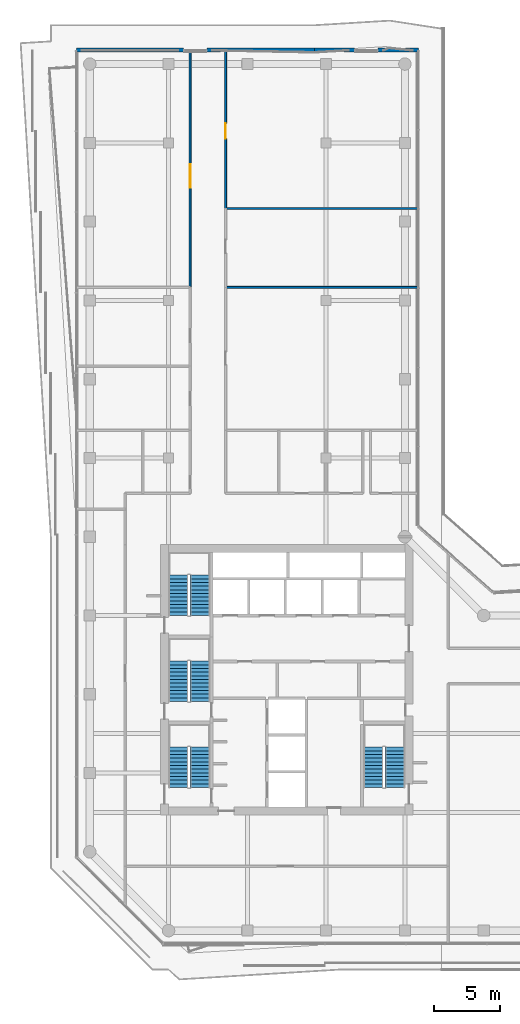
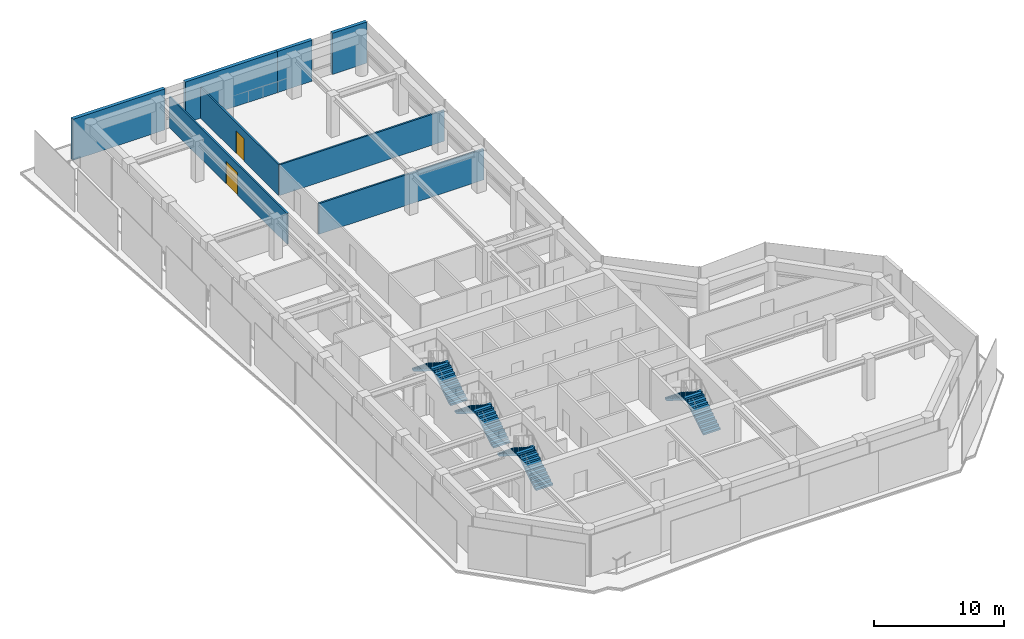
# One storey, part 19 of 21: 8 stair flights, 8 walls, 2 doors, 2 openings, 4 elements without a shape of their own.
"""IFC4 building model written with IfcOpenShell, lengths in metres."""

from ifc_helpers import new_model, si_unit, direction, frame, frame_2d, origin, place, context, subcontext, project, spatial, polyline, rectangle, outline, extrude, material, layer, layer_set, type_object, element, fill, aggregate, save


model = new_model("IFC4")

# Units and contexts
model_context = context("Model", 3, precision=1e-05, world=origin(), true_north=direction((0.0, 1.0)))
body_context = subcontext(model_context, "Body", "Model", "MODEL_VIEW")
ifc_project = project(units=[si_unit("LENGTHUNIT", "METRE"), si_unit("AREAUNIT", "SQUARE_METRE"), si_unit("VOLUMEUNIT", "CUBIC_METRE"), si_unit("PLANEANGLEUNIT", "RADIAN"), si_unit("MASSUNIT", "GRAM", prefix="KILO")], contexts=[model_context])

# Site, building, storey
site_placement = place(None, origin())
site = spatial("IfcSite", under=ifc_project, at=site_placement, CompositionType="ELEMENT")
building_placement = place(site_placement, origin())
building = spatial("IfcBuilding", under=site, at=building_placement, Name="Welwitschia Terrace Campus", CompositionType="ELEMENT")
storey_placement = place(building_placement, frame((0.0, 0.0, 184.39990234375)))
storey = spatial("IfcBuildingStorey", under=building, at=storey_placement, Name="L41", CompositionType="ELEMENT", Elevation=184.39990234375)

# Wall, opening, door
ifc_material_1 = material(Name="Gypsum board on steel studs", Category="steel")
ifc_layer_1 = layer(ifc_material_1, 0.14990234375)
ifc_layer_set_1 = layer_set([ifc_layer_1], Name="Gypsum board on steel studs")
wall_type_1 = type_object("IfcWallType", Name="Corridor partition 150 EI 30", PredefinedType="PARTITIONING", material=ifc_layer_set_1)
wall_1_placement = place(storey_placement, frame((7.64990234375, 63.090087890625, 0.0), z_axis=(0.0, 0.0, 1.0), x_axis=(0.0, -1.0, 0.0)))
wall_1 = element("IfcWall", 1, at=wall_1_placement, inside=storey, type_object=wall_type_1, Name="Partition", PredefinedType="PARTITIONING", context=body_context, shape_type="SweptSolid", body=[
    extrude(rectangle(XDim=18.090087890625, YDim=0.14990234375, at=frame_2d((9.044921875, 0.0))), origin(), (0.0, 0.0, 1.0), 2.880126953125),
])
opening_1_placement = place(wall_1_placement, frame((8.7099609375, 0.0, 0.0)))
opening_1 = element("IfcOpeningElement", 2, at=opening_1_placement, cuts=wall_1, Name="Opening DI18", PredefinedType="OPENING", context=body_context, shape_type="SweptSolid", body=[
    extrude(rectangle(XDim=1.800048828125, YDim=2.10009765625, at=frame_2d((0.89990234375, 1.050048828125))), frame((0.0, 0.0849609375, 0.0), z_axis=(0.0, -1.0, 0.0), x_axis=(1.0, 0.0, 0.0)), (0.0, 0.0, 1.0), 0.169921875),
])
ifc_material_2 = material(Name="Timber veneered door", Category="wood")
door_type_1 = type_object("IfcDoorType", Name="Interior door DI18", OperationType="DOUBLE_DOOR_SINGLE_SWING", PredefinedType="DOOR", material=ifc_material_2)
door_1_placement = place(opening_1_placement, origin())
door_1 = element("IfcDoor", 3, at=door_1_placement, inside=storey, type_object=door_type_1, Name="Door L41 813", OperationType="SINGLE_SWING_LEFT", OverallHeight=2.10009765625, OverallWidth=1.800048828125, PredefinedType="DOOR", context=body_context, shape_type="SweptSolid", body=[
    extrude(rectangle(XDim=1.800048828125, YDim=2.10009765625, at=frame_2d((0.89990234375, 1.050048828125))), frame((0.0, 0.02490234375, 0.0), z_axis=(0.0, -1.0, 0.0), x_axis=(1.0, 0.0, 0.0)), (0.0, 0.0, 1.0), 0.050048828125),
])
fill(opening_1, door_1)

# Walls
for number, where, z_axis, x_axis, name in (
    (4, (10.35009765625, 45.0, 0.0), (0.0, 0.0, 1.0), (1.0, 0.0, 0.0), "Partition"),
    (5, (10.35009765625, 51.0, 0.0), (0.0, 0.0, 1.0), (1.0, 0.0, 0.0), "Partition"),
):
    element("IfcWall", number, at=place(storey_placement, frame(where, z_axis=z_axis, x_axis=x_axis)), inside=storey, type_object=wall_type_1, Name=name, PredefinedType="PARTITIONING", context=body_context, shape_type="SweptSolid", body=[
        extrude(rectangle(XDim=14.614990234375, YDim=0.14990234375, at=frame_2d((7.3076171875, 0.0))), origin(), (0.0, 0.0, 1.0), 2.880126953125),
    ])

# Wall, opening, door
wall_2_placement = place(storey_placement, frame((10.35009765625, 63.090087890625, 0.0), z_axis=(0.0, 0.0, 1.0), x_axis=(0.0, -1.0, 0.0)))
wall_2 = element("IfcWall", 6, at=wall_2_placement, inside=storey, type_object=wall_type_1, Name="Partition", PredefinedType="PARTITIONING", context=body_context, shape_type="SweptSolid", body=[
    extrude(rectangle(XDim=12.090087890625, YDim=0.14990234375, at=frame_2d((6.044921875, 0.0))), origin(), (0.0, 0.0, 1.0), 2.880126953125),
])
opening_2_placement = place(wall_2_placement, frame((5.590087890625, 0.0, 0.0)))
opening_2 = element("IfcOpeningElement", 7, at=opening_2_placement, cuts=wall_2, Name="Opening DI12", PredefinedType="OPENING", context=body_context, shape_type="SweptSolid", body=[
    extrude(rectangle(XDim=1.199951171875, YDim=2.10009765625, at=frame_2d((0.60009765625, 1.050048828125))), frame((0.0, 0.0849609375, 0.0), z_axis=(0.0, -1.0, 0.0), x_axis=(1.0, 0.0, 0.0)), (0.0, 0.0, 1.0), 0.169921875),
])
ifc_material_3 = material(Name="Timber veneered door", Category="wood")
door_type_2 = type_object("IfcDoorType", Name="Interior door DI12", OperationType="NOTDEFINED", PredefinedType="DOOR", material=ifc_material_3)
door_2_placement = place(opening_2_placement, origin())
door_2 = element("IfcDoor", 8, at=door_2_placement, inside=storey, type_object=door_type_2, Name="Door L41 816", OperationType="SINGLE_SWING_LEFT", OverallHeight=2.10009765625, OverallWidth=1.199951171875, PredefinedType="DOOR", context=body_context, shape_type="SweptSolid", body=[
    extrude(rectangle(XDim=1.199951171875, YDim=2.10009765625, at=frame_2d((0.60009765625, 1.050048828125))), frame((0.0, 0.02490234375, 0.0), z_axis=(0.0, -1.0, 0.0), x_axis=(1.0, 0.0, 0.0)), (0.0, 0.0, 1.0), 0.050048828125),
])
fill(opening_2, door_2)

# Walls
ifc_material_4 = material(Name="Concrete C40/50", Category="concrete")
ifc_layer_2 = layer(ifc_material_4, 0.300048828125)
ifc_layer_set_2 = layer_set([ifc_layer_2], Name="Concrete C40/50")
wall_type_2 = type_object("IfcWallType", Name="Mass wall 300", PredefinedType="SOLIDWALL", material=ifc_layer_set_2)
wall_3_placement = place(storey_placement, frame((25.030029296875, 63.078125, 0.0), z_axis=(0.0, 0.0, 1.0), x_axis=(-0.999999844719, 0.000557280385, 0.0)))
element("IfcWall", 9, at=wall_3_placement, inside=storey, type_object=wall_type_2, Name="Mass wall L41.8.0", PredefinedType="SOLIDWALL", context=body_context, shape_type="SweptSolid", body=[
    extrude(rectangle(XDim=3.066650390625, YDim=0.300048828125, at=frame_2d((1.533203125, 0.0))), origin(), (0.0, 0.0, 1.0), 3.85009765625),
])
wall_4_placement = place(storey_placement, frame((20.163330078125, 63.07861328125, 0.0), z_axis=(0.0, 0.0, 1.0), x_axis=(-0.999999844744, 0.000557236022, 0.0)))
element("IfcWall", 10, at=wall_4_placement, inside=storey, type_object=wall_type_2, Name="Mass wall L41.8.1", PredefinedType="SOLIDWALL", context=body_context, shape_type="SweptSolid", body=[
    extrude(rectangle(XDim=3.06689453125, YDim=0.300048828125, at=frame_2d((1.533447265625, 0.0))), origin(), (0.0, 0.0, 1.0), 3.85009765625),
])
for number, where, z_axis, x_axis, name in (
    (11, (17.096435546875, 63.080078125, 0.0), (0.0, 0.0, 1.0), (-1.0, 0.0, 0.0), "Mass wall L41.9.0"),
    (12, (7.13330078125, 63.078125, 0.0), (0.0, 0.0, 1.0), (-1.0, 0.0, 0.0), "Mass wall L41.9.1"),
):
    element("IfcWall", number, at=place(storey_placement, frame(where, z_axis=z_axis, x_axis=x_axis)), inside=storey, type_object=wall_type_2, Name=name, PredefinedType="SOLIDWALL", context=body_context, shape_type="SweptSolid", body=[
        extrude(rectangle(XDim=8.163330078125, YDim=0.300048828125, at=frame_2d((4.08154296875, 0.0))), origin(), (0.0, 0.0, 1.0), 3.85009765625),
    ])

# Stair, stair flights
ifc_material_5 = material(Name="Concrete C40/50", Category="concrete")
stair_type = type_object("IfcStairType", Name="Stair 24R 175 W1500", PredefinedType="HALF_TURN_STAIR", material=ifc_material_5)
stair_1_placement = place(storey_placement, origin())
stair_1 = element("IfcStair", 13, at=stair_1_placement, inside=storey, type_object=stair_type, Name="L41 Exit stair S1", PredefinedType="HALF_TURN_STAIR")
ifc_material_6 = material(Name="Concrete C40/50", Category="concrete")
stair_flight_type = type_object("IfcStairFlightType", Name="Stair flight 24R 175 W1500", PredefinedType="STRAIGHT", material=ifc_material_6)
stair_flight_1_placement = place(storey_placement, frame((8.39990234375, 6.89990234375, 0.0), z_axis=(0.0, 0.0, 1.0), x_axis=(0.0, 1.0, 0.0)))
stair_flight_1 = element("IfcStairFlight", 14, at=stair_flight_1_placement, type_object=stair_flight_type, Name="S1 flight 1", NumberOfRisers=12, NumberOfTreads=11, PredefinedType="STRAIGHT", RiserHeight=0.175, TreadLength=0.28, context=body_context, shape_type="SweptSolid", body=[
    extrude(outline(polyline([(0.0, 0.0), (0.0, 0.175048828125), (0.280029296875, 0.175048828125), (0.280029296875, 0.35009765625), (0.56005859375, 0.35009765625), (0.56005859375, 0.52490234375), (0.840087890625, 0.52490234375), (0.840087890625, 0.699951171875), (1.1201171875, 0.699951171875), (1.1201171875, 0.875), (1.39990234375, 0.875), (1.39990234375, 1.050048828125), (1.679931640625, 1.050048828125), (1.679931640625, 1.22509765625), (1.9599609375, 1.22509765625), (1.9599609375, 1.39990234375), (2.239990234375, 1.39990234375), (2.239990234375, 1.574951171875), (2.52001953125, 1.574951171875), (2.52001953125, 1.75), (2.800048828125, 1.75), (2.800048828125, 1.925048828125), (3.080078125, 1.925048828125), (3.080078125, 2.10009765625), (3.080078125, 1.748291015625), (0.28271484375, 0.0), (0.0, 0.0)])), frame((0.0, 0.75, 0.0), z_axis=(0.0, -1.0, 0.0), x_axis=(1.0, 0.0, 0.0)), (0.0, 0.0, 1.0), 1.5),
])
stair_flight_2_placement = place(storey_placement, frame((6.75, 9.97998046875, 2.10009765625), z_axis=(0.0, 0.0, 1.0), x_axis=(0.0, -1.0, 0.0)))
stair_flight_2 = element("IfcStairFlight", 15, at=stair_flight_2_placement, type_object=stair_flight_type, Name="S1 flight 2", NumberOfRisers=12, NumberOfTreads=11, PredefinedType="STRAIGHT", RiserHeight=0.175, TreadLength=0.28, context=body_context, shape_type="SweptSolid", body=[
    extrude(outline(polyline([(0.0, 0.0), (0.0, 0.175048828125), (0.280029296875, 0.175048828125), (0.280029296875, 0.35009765625), (0.56005859375, 0.35009765625), (0.56005859375, 0.52490234375), (0.840087890625, 0.52490234375), (0.840087890625, 0.699951171875), (1.1201171875, 0.699951171875), (1.1201171875, 0.875), (1.39990234375, 0.875), (1.39990234375, 1.050048828125), (1.679931640625, 1.050048828125), (1.679931640625, 1.22509765625), (1.9599609375, 1.22509765625), (1.9599609375, 1.39990234375), (2.239990234375, 1.39990234375), (2.239990234375, 1.574951171875), (2.52001953125, 1.574951171875), (2.52001953125, 1.75), (2.800048828125, 1.75), (2.800048828125, 1.925048828125), (3.080078125, 1.925048828125), (3.080078125, 2.10009765625), (3.080078125, 1.748291015625), (0.28271484375, 0.0), (0.0, 0.0)])), frame((0.0, 0.75, 0.0), z_axis=(0.0, -1.0, 0.0), x_axis=(1.0, 0.0, 0.0)), (0.0, 0.0, 1.0), 1.5),
])
aggregate(stair_1, [stair_flight_1, stair_flight_2])

stair_2_placement = place(storey_placement, origin())
stair_2 = element("IfcStair", 16, at=stair_2_placement, inside=storey, type_object=stair_type, Name="L41 Exit stair S3", PredefinedType="HALF_TURN_STAIR")
stair_flight_3_placement = place(storey_placement, frame((8.39990234375, 13.449951171875, 0.0), z_axis=(0.0, 0.0, 1.0), x_axis=(0.0, 1.0, 0.0)))
stair_flight_3 = element("IfcStairFlight", 17, at=stair_flight_3_placement, type_object=stair_flight_type, Name="S3 flight 1", NumberOfRisers=12, NumberOfTreads=11, PredefinedType="STRAIGHT", RiserHeight=0.175, TreadLength=0.28, context=body_context, shape_type="SweptSolid", body=[
    extrude(outline(polyline([(0.0, 0.0), (0.0, 0.175048828125), (0.280029296875, 0.175048828125), (0.280029296875, 0.35009765625), (0.56005859375, 0.35009765625), (0.56005859375, 0.52490234375), (0.840087890625, 0.52490234375), (0.840087890625, 0.699951171875), (1.1201171875, 0.699951171875), (1.1201171875, 0.875), (1.39990234375, 0.875), (1.39990234375, 1.050048828125), (1.679931640625, 1.050048828125), (1.679931640625, 1.22509765625), (1.9599609375, 1.22509765625), (1.9599609375, 1.39990234375), (2.239990234375, 1.39990234375), (2.239990234375, 1.574951171875), (2.52001953125, 1.574951171875), (2.52001953125, 1.75), (2.800048828125, 1.75), (2.800048828125, 1.925048828125), (3.080078125, 1.925048828125), (3.080078125, 2.10009765625), (3.080078125, 1.748291015625), (0.28271484375, 0.0), (0.0, 0.0)])), frame((0.0, 0.75, 0.0), z_axis=(0.0, -1.0, 0.0), x_axis=(1.0, 0.0, 0.0)), (0.0, 0.0, 1.0), 1.5),
])
stair_flight_4_placement = place(storey_placement, frame((6.75, 16.530029296875, 2.10009765625), z_axis=(0.0, 0.0, 1.0), x_axis=(0.0, -1.0, 0.0)))
stair_flight_4 = element("IfcStairFlight", 18, at=stair_flight_4_placement, type_object=stair_flight_type, Name="S3 flight 2", NumberOfRisers=12, NumberOfTreads=11, PredefinedType="STRAIGHT", RiserHeight=0.175, TreadLength=0.28, context=body_context, shape_type="SweptSolid", body=[
    extrude(outline(polyline([(0.0, 0.0), (0.0, 0.175048828125), (0.280029296875, 0.175048828125), (0.280029296875, 0.35009765625), (0.56005859375, 0.35009765625), (0.56005859375, 0.52490234375), (0.840087890625, 0.52490234375), (0.840087890625, 0.699951171875), (1.1201171875, 0.699951171875), (1.1201171875, 0.875), (1.39990234375, 0.875), (1.39990234375, 1.050048828125), (1.679931640625, 1.050048828125), (1.679931640625, 1.22509765625), (1.9599609375, 1.22509765625), (1.9599609375, 1.39990234375), (2.239990234375, 1.39990234375), (2.239990234375, 1.574951171875), (2.52001953125, 1.574951171875), (2.52001953125, 1.75), (2.800048828125, 1.75), (2.800048828125, 1.925048828125), (3.080078125, 1.925048828125), (3.080078125, 2.10009765625), (3.080078125, 1.748291015625), (0.28271484375, 0.0), (0.0, 0.0)])), frame((0.0, 0.75, 0.0), z_axis=(0.0, -1.0, 0.0), x_axis=(1.0, 0.0, 0.0)), (0.0, 0.0, 1.0), 1.5),
])
aggregate(stair_2, [stair_flight_3, stair_flight_4])

stair_3_placement = place(storey_placement, origin())
stair_3 = element("IfcStair", 19, at=stair_3_placement, inside=storey, type_object=stair_type, Name="L41 Exit stair S4", PredefinedType="HALF_TURN_STAIR")
stair_flight_5_placement = place(storey_placement, frame((8.39990234375, 20.0, 0.0), z_axis=(0.0, 0.0, 1.0), x_axis=(0.0, 1.0, 0.0)))
stair_flight_5 = element("IfcStairFlight", 20, at=stair_flight_5_placement, type_object=stair_flight_type, Name="S4 flight 1", NumberOfRisers=12, NumberOfTreads=11, PredefinedType="STRAIGHT", RiserHeight=0.175, TreadLength=0.28, context=body_context, shape_type="SweptSolid", body=[
    extrude(outline(polyline([(0.0, 0.0), (0.0, 0.175048828125), (0.280029296875, 0.175048828125), (0.280029296875, 0.35009765625), (0.56005859375, 0.35009765625), (0.56005859375, 0.52490234375), (0.840087890625, 0.52490234375), (0.840087890625, 0.699951171875), (1.1201171875, 0.699951171875), (1.1201171875, 0.875), (1.39990234375, 0.875), (1.39990234375, 1.050048828125), (1.679931640625, 1.050048828125), (1.679931640625, 1.22509765625), (1.9599609375, 1.22509765625), (1.9599609375, 1.39990234375), (2.239990234375, 1.39990234375), (2.239990234375, 1.574951171875), (2.52001953125, 1.574951171875), (2.52001953125, 1.75), (2.800048828125, 1.75), (2.800048828125, 1.925048828125), (3.080078125, 1.925048828125), (3.080078125, 2.10009765625), (3.080078125, 1.748291015625), (0.28271484375, 0.0), (0.0, 0.0)])), frame((0.0, 0.75, 0.0), z_axis=(0.0, -1.0, 0.0), x_axis=(1.0, 0.0, 0.0)), (0.0, 0.0, 1.0), 1.5),
])
stair_flight_6_placement = place(storey_placement, frame((6.75, 23.080078125, 2.10009765625), z_axis=(0.0, 0.0, 1.0), x_axis=(0.0, -1.0, 0.0)))
stair_flight_6 = element("IfcStairFlight", 21, at=stair_flight_6_placement, type_object=stair_flight_type, Name="S4 flight 2", NumberOfRisers=12, NumberOfTreads=11, PredefinedType="STRAIGHT", RiserHeight=0.175, TreadLength=0.28, context=body_context, shape_type="SweptSolid", body=[
    extrude(outline(polyline([(0.0, 0.0), (0.0, 0.175048828125), (0.280029296875, 0.175048828125), (0.280029296875, 0.35009765625), (0.56005859375, 0.35009765625), (0.56005859375, 0.52490234375), (0.840087890625, 0.52490234375), (0.840087890625, 0.699951171875), (1.1201171875, 0.699951171875), (1.1201171875, 0.875), (1.39990234375, 0.875), (1.39990234375, 1.050048828125), (1.679931640625, 1.050048828125), (1.679931640625, 1.22509765625), (1.9599609375, 1.22509765625), (1.9599609375, 1.39990234375), (2.239990234375, 1.39990234375), (2.239990234375, 1.574951171875), (2.52001953125, 1.574951171875), (2.52001953125, 1.75), (2.800048828125, 1.75), (2.800048828125, 1.925048828125), (3.080078125, 1.925048828125), (3.080078125, 2.10009765625), (3.080078125, 1.748291015625), (0.28271484375, 0.0), (0.0, 0.0)])), frame((0.0, 0.75, 0.0), z_axis=(0.0, -1.0, 0.0), x_axis=(1.0, 0.0, 0.0)), (0.0, 0.0, 1.0), 1.5),
])
aggregate(stair_3, [stair_flight_5, stair_flight_6])

stair_4_placement = place(storey_placement, origin())
stair_4 = element("IfcStair", 22, at=stair_4_placement, inside=storey, type_object=stair_type, Name="L41 Exit stair S2", PredefinedType="HALF_TURN_STAIR")
stair_flight_7_placement = place(storey_placement, frame((23.25, 6.89990234375, 0.0), z_axis=(0.0, 0.0, 1.0), x_axis=(0.0, 1.0, 0.0)))
stair_flight_7 = element("IfcStairFlight", 23, at=stair_flight_7_placement, type_object=stair_flight_type, Name="S2 flight 1", NumberOfRisers=12, NumberOfTreads=11, PredefinedType="STRAIGHT", RiserHeight=0.175, TreadLength=0.28, context=body_context, shape_type="SweptSolid", body=[
    extrude(outline(polyline([(0.0, 0.0), (0.0, 0.175048828125), (0.280029296875, 0.175048828125), (0.280029296875, 0.35009765625), (0.56005859375, 0.35009765625), (0.56005859375, 0.52490234375), (0.840087890625, 0.52490234375), (0.840087890625, 0.699951171875), (1.1201171875, 0.699951171875), (1.1201171875, 0.875), (1.39990234375, 0.875), (1.39990234375, 1.050048828125), (1.679931640625, 1.050048828125), (1.679931640625, 1.22509765625), (1.9599609375, 1.22509765625), (1.9599609375, 1.39990234375), (2.239990234375, 1.39990234375), (2.239990234375, 1.574951171875), (2.52001953125, 1.574951171875), (2.52001953125, 1.75), (2.800048828125, 1.75), (2.800048828125, 1.925048828125), (3.080078125, 1.925048828125), (3.080078125, 2.10009765625), (3.080078125, 1.748291015625), (0.28271484375, 0.0), (0.0, 0.0)])), frame((0.0, 0.75, 0.0), z_axis=(0.0, -1.0, 0.0), x_axis=(1.0, 0.0, 0.0)), (0.0, 0.0, 1.0), 1.5),
])
stair_flight_8_placement = place(storey_placement, frame((21.60009765625, 9.97998046875, 2.10009765625), z_axis=(0.0, 0.0, 1.0), x_axis=(0.0, -1.0, 0.0)))
stair_flight_8 = element("IfcStairFlight", 24, at=stair_flight_8_placement, type_object=stair_flight_type, Name="S2 flight 2", NumberOfRisers=12, NumberOfTreads=11, PredefinedType="STRAIGHT", RiserHeight=0.175, TreadLength=0.28, context=body_context, shape_type="SweptSolid", body=[
    extrude(outline(polyline([(0.0, 0.0), (0.0, 0.175048828125), (0.280029296875, 0.175048828125), (0.280029296875, 0.35009765625), (0.56005859375, 0.35009765625), (0.56005859375, 0.52490234375), (0.840087890625, 0.52490234375), (0.840087890625, 0.699951171875), (1.1201171875, 0.699951171875), (1.1201171875, 0.875), (1.39990234375, 0.875), (1.39990234375, 1.050048828125), (1.679931640625, 1.050048828125), (1.679931640625, 1.22509765625), (1.9599609375, 1.22509765625), (1.9599609375, 1.39990234375), (2.239990234375, 1.39990234375), (2.239990234375, 1.574951171875), (2.52001953125, 1.574951171875), (2.52001953125, 1.75), (2.800048828125, 1.75), (2.800048828125, 1.925048828125), (3.080078125, 1.925048828125), (3.080078125, 2.10009765625), (3.080078125, 1.748291015625), (0.28271484375, 0.0), (0.0, 0.0)])), frame((0.0, 0.75, 0.0), z_axis=(0.0, -1.0, 0.0), x_axis=(1.0, 0.0, 0.0)), (0.0, 0.0, 1.0), 1.5),
])
aggregate(stair_4, [stair_flight_7, stair_flight_8])

save(model, "model.ifc")
